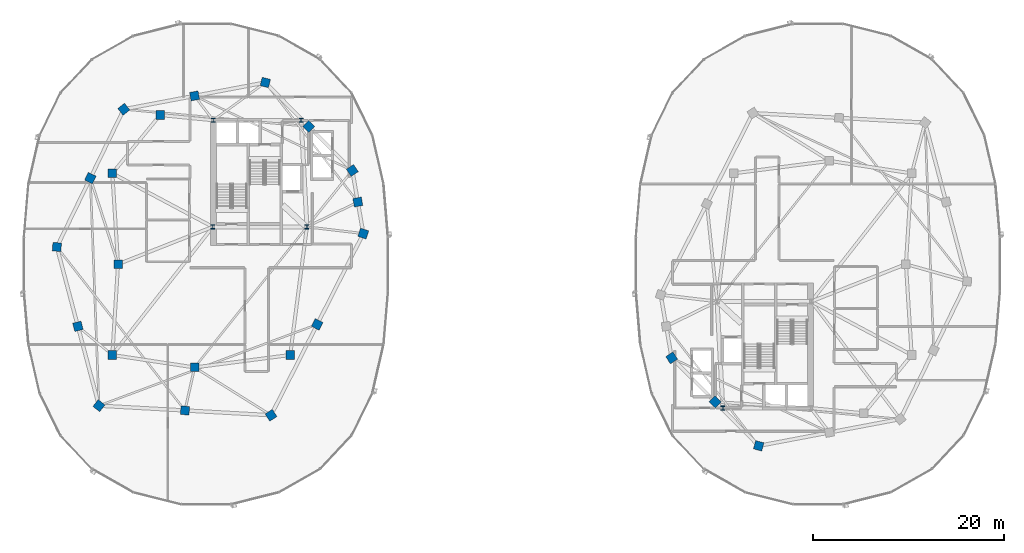
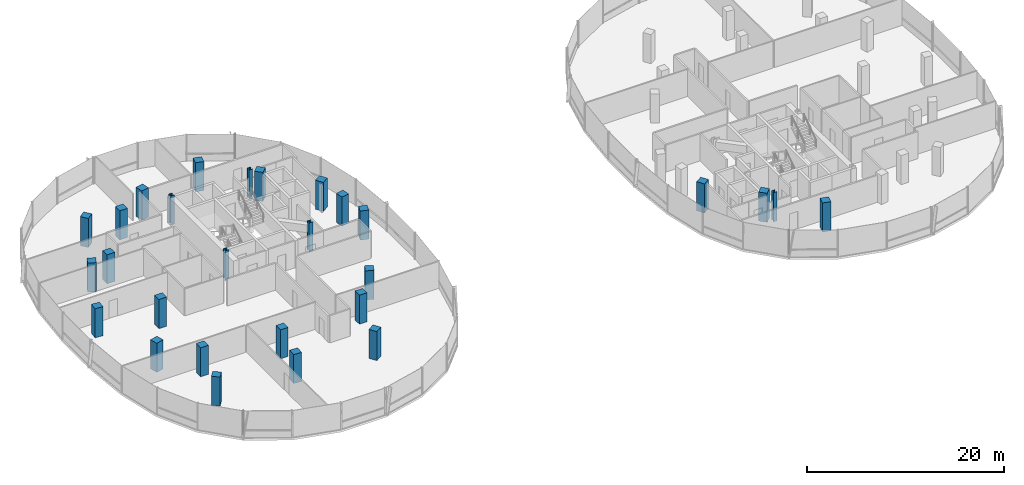
# One storey, part 1 of 25: 28 columns.
"""IFC4 building model written with IfcOpenShell, lengths in metres."""

from ifc_helpers import new_model, si_unit, direction, frame, origin, origin_2d, place, context, subcontext, project, spatial, rectangle, i_section, extrude, material, material_profile, profile_set, type_object, element, save


model = new_model("IFC4")

# Units and contexts
model_context = context("Model", 3, precision=1e-05, world=origin(), true_north=direction((0.0, 1.0)))
body_context = subcontext(model_context, "Body", "Model", "MODEL_VIEW")
ifc_project = project(units=[si_unit("LENGTHUNIT", "METRE"), si_unit("AREAUNIT", "SQUARE_METRE"), si_unit("VOLUMEUNIT", "CUBIC_METRE"), si_unit("PLANEANGLEUNIT", "RADIAN"), si_unit("MASSUNIT", "GRAM", prefix="KILO"), si_unit("THERMODYNAMICTEMPERATUREUNIT", "KELVIN"), si_unit("POWERUNIT", "WATT")], contexts=[model_context])

# Site, building, storey
site_placement = place(None, origin())
site = spatial("IfcSite", under=ifc_project, at=site_placement, CompositionType="ELEMENT")
building_placement = place(site_placement, origin())
building = spatial("IfcBuilding", under=site, at=building_placement, Name="Cundina Bronze Exchange", CompositionType="ELEMENT")
storey_placement = place(building_placement, frame((0.0, 0.0, 206.199951171875)))
storey = spatial("IfcBuildingStorey", under=building, at=storey_placement, Name="L54", CompositionType="ELEMENT", Elevation=206.199951171875)

# Columns
ifc_material_1 = material(Name="Steel ASTM A992 Grade 50", Category="steel")
ifc_material_profile_1 = material_profile(ifc_material_1, i_section(OverallWidth=0.416015625, OverallDepth=0.446044921875, WebThickness=0.0390625, FlangeThickness=0.062744140625, FilletRadius=0.01806640625, at=origin_2d()), Name="W14X342", Category="steel")
ifc_profile_set_1 = profile_set([ifc_material_profile_1], Name="Steel ASTM A992 Grade 50")
column_type_1 = type_object("IfcColumnType", Name="COL-STL-W14B", PredefinedType="COLUMN", material=ifc_profile_set_1)
for number, where, z_axis, x_axis, name in (
    (1, (-31.300048828125, 3.89990234375, 0.0), (0.0, 0.0, 1.0), (1.0, 0.0, 0.0), "L54 Core Anchor Column W1"),
    (2, (-21.449951171875, 3.89990234375, 0.0), (0.0, 0.0, 1.0), (1.0, 0.0, 0.0), "L54 Core Anchor Column W2"),
    (3, (-22.050048828125, 15.050048828125, 0.0), (0.0, 0.0, 1.0), (1.0, 0.0, 0.0), "L54 Core Anchor Column W3"),
    (4, (-31.25, 15.050048828125, 0.0), (0.0, 0.0, 1.0), (1.0, 0.0, 0.0), "L54 Core Anchor Column W4"),
    (5, (22.050048828125, -15.050048828125, 0.0), (0.0, 0.0, 1.0), (1.0, 0.0, 0.0), "L54 Core Anchor Column E3"),
):
    element("IfcColumn", number, at=place(storey_placement, frame(where, z_axis=z_axis, x_axis=x_axis)), inside=storey, type_object=column_type_1, Name=name, PredefinedType="COLUMN", context=body_context, shape_type="SweptSolid", body=[
        extrude(i_section(OverallWidth=0.416015625, OverallDepth=0.446044921875, WebThickness=0.0390625, FlangeThickness=0.062744140625, FilletRadius=0.01806640625, at=origin_2d()), origin(), (0.0, 0.0, 1.0), 3.60009765625),
    ])
ifc_material_2 = material(Name="Concrete C50/60", Category="concrete")
ifc_material_profile_2 = material_profile(ifc_material_2, rectangle(XDim=0.89990234375, YDim=0.89990234375, at=origin_2d()), Name="RC900X900", Category="concrete")
ifc_profile_set_2 = profile_set([ifc_material_profile_2], Name="Concrete C50/60")
column_type_2 = type_object("IfcColumnType", Name="COL-Z4-900", PredefinedType="COLUMN", material=ifc_profile_set_2)
for number, where, z_axis, x_axis, name in (
    (6, (-41.199951171875, 0.0, 0.0), (0.0, 0.0, 1.0), (1.0, 0.0, 0.0), "L54 W Inner Ring Column 1"),
    (7, (-41.800048828125, 9.5, 0.0), (0.0, 0.0, 1.0), (1.0, 0.0, 0.0), "L54 W Inner Ring Column 2"),
    (8, (-36.800048828125, 15.60009765625, 0.0), (0.0, 0.0, 1.0), (1.0, 0.0, 0.0), "L54 W Inner Ring Column 3"),
    (9, (-41.800048828125, -9.5, 0.0), (0.0, 0.0, 1.0), (1.0, 0.0, 0.0), "L54 W Inner Ring Column 4"),
    (10, (-33.199951171875, -10.800048828125, 0.0), (0.0, 0.0, 1.0), (1.0, 0.0, 0.0), "L54 W Inner Ring Column 5"),
    (11, (-23.199951171875, -9.5, 0.0), (0.0, 0.0, 1.0), (1.0, 0.0, 0.0), "L54 W Inner Ring Column 6"),
    (12, (-15.550048828125, 3.199951171875, 0.0), (0.0, 0.0, 1.0), (0.315152163383, 0.949041155016, 0.0), "L54 W Perimeter Column 00"),
    (13, (-16.125, 6.5, 0.0), (0.0, 0.0, 1.0), (-0.171585221787, 0.985169280715, 0.0), "L54 W Perimeter Column 01"),
    (14, (-16.699951171875, 9.800048828125, 0.0), (0.0, 0.0, 1.0), (-0.544199833495, 0.838955625301, 0.0), "L54 W Perimeter Column 02"),
    (15, (-21.25, 14.39990234375, 0.0), (0.0, 0.0, 1.0), (-0.703270634186, 0.710922228581, 0.0), "L54 W Perimeter Column 03"),
    (16, (-25.800048828125, 19.0, 0.0), (0.0, 0.0, 1.0), (-0.965970984022, 0.258650455301, 0.0), "L54 W Perimeter Column 04"),
    (17, (-33.199951171875, 17.60009765625, 0.0), (0.0, 0.0, 1.0), (-0.98258037664, -0.185838110843, 0.0), "L54 W Perimeter Column 05"),
    (18, (-40.60009765625, 16.199951171875, 0.0), (0.0, 0.0, 1.0), (-0.785100778485, -0.619368038909, 0.0), "L54 W Perimeter Column 06"),
    (19, (-44.10009765625, 9.0, 0.0), (0.0, 0.0, 1.0), (-0.437115766651, -0.899405251566, 0.0), "L54 W Perimeter Column 07"),
    (20, (-47.60009765625, 1.800048828125, 0.0), (0.0, 0.0, 1.0), (-0.083503921245, -0.996507448611, 0.0), "L54 W Perimeter Column 08"),
    (21, (-45.39990234375, -6.5, 0.0), (0.0, 0.0, 1.0), (0.256289373133, -0.966600102017, 0.0), "L54 W Perimeter Column 09"),
    (22, (-43.199951171875, -14.800048828125, 0.0), (0.0, 0.0, 1.0), (0.786288432137, -0.61785961309, 0.0), "L54 W Perimeter Column 10"),
    (23, (-34.199951171875, -15.300048828125, 0.0), (0.0, 0.0, 1.0), (0.998460188734, -0.055472980025, 0.0), "L54 W Perimeter Column 11"),
    (24, (-25.199951171875, -15.800048828125, 0.0), (0.0, 0.0, 1.0), (0.838099763533, 0.545516989988, 0.0), "L54 W Perimeter Column 12"),
    (25, (-20.375, -6.300048828125, 0.0), (0.0, 0.0, 1.0), (0.452901591366, 0.891560513111, 0.0), "L54 W Perimeter Column 13"),
    (26, (16.699951171875, -9.800048828125, 0.0), (0.0, 0.0, 1.0), (0.544199833495, -0.838955625301, 0.0), "L54 E Perimeter Column 02"),
    (27, (21.25, -14.39990234375, 0.0), (0.0, 0.0, 1.0), (0.703270634186, -0.710922228581, 0.0), "L54 E Perimeter Column 03"),
    (28, (25.800048828125, -19.0, 0.0), (0.0, 0.0, 1.0), (0.965970984022, -0.258650455301, 0.0), "L54 E Perimeter Column 04"),
):
    element("IfcColumn", number, at=place(storey_placement, frame(where, z_axis=z_axis, x_axis=x_axis)), inside=storey, type_object=column_type_2, Name=name, PredefinedType="COLUMN", context=body_context, shape_type="SweptSolid", body=[
        extrude(rectangle(XDim=0.89990234375, YDim=0.89990234375, at=origin_2d()), origin(), (0.0, 0.0, 1.0), 3.60009765625),
    ])

save(model, "model.ifc")
